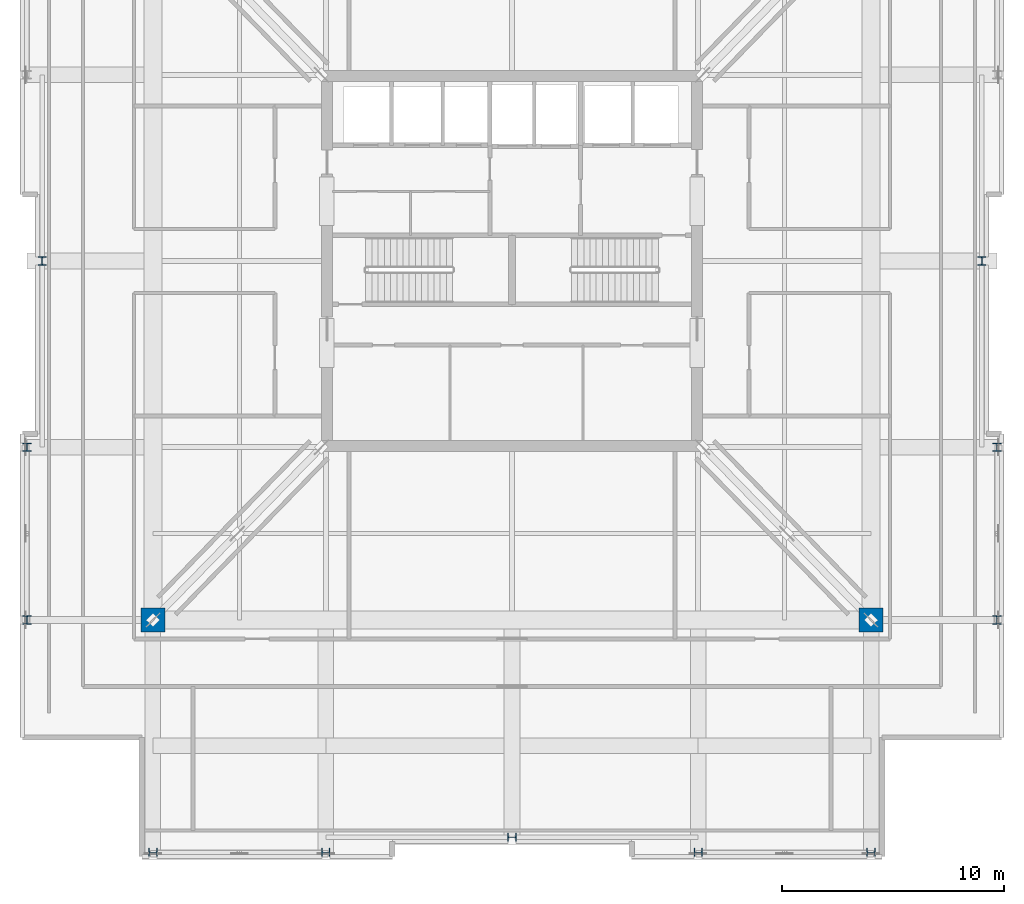
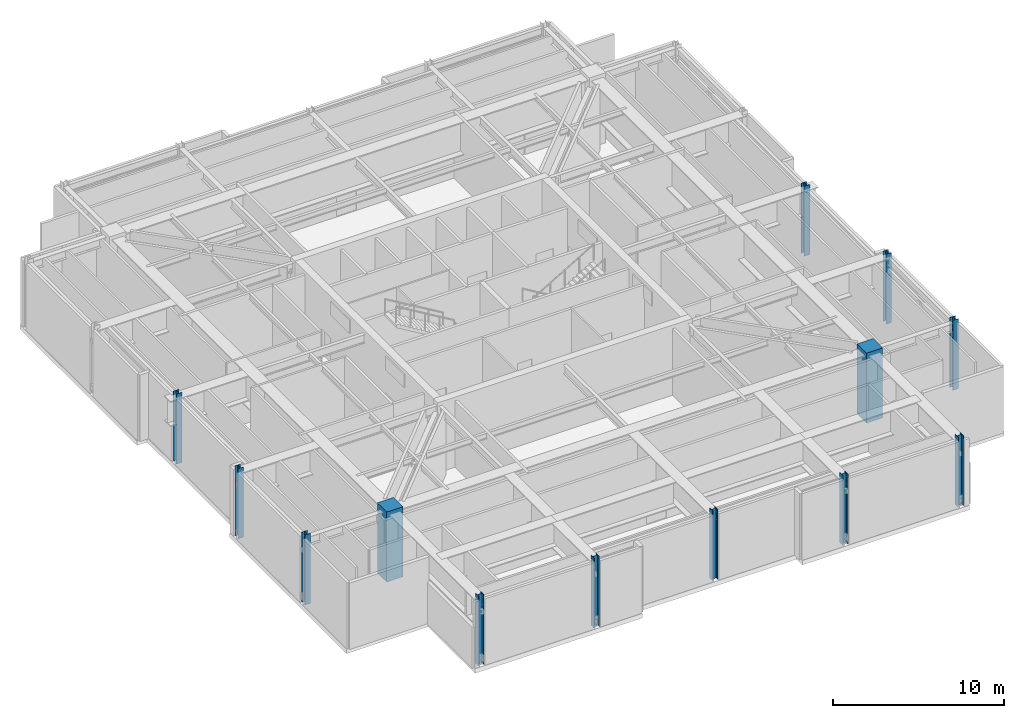
# One storey, part 1 of 10: 13 columns.
"""IFC4 building model written with IfcOpenShell, lengths in metres."""

import ifcopenshell
import ifcopenshell.guid

model = None  # the IFC model being written
_history = None  # IfcOwnerHistory: only IFC2X3 demands one
_inside = {}  # id of a spatial element -> (the spatial element, [elements in it])
_under = {}  # id of a project, library or spatial element -> (it, [spatial elements below it])
_declared = {}  # id of a project -> (the project, [libraries it declares])
_typed = {}  # id of a type object -> (the type object, [elements of that type])
_made_of = {}  # id of a material, layer set ... -> (it, [elements and type objects made of it])


def new_model(schema):
    """Start an empty IFC model of exactly this schema.

    Asked for "IFC4X3", IfcOpenShell would pick the latest addendum, in which some entities
    have other attributes; the version numbers below select the first issue.
    IFC2X3 requires an IfcOwnerHistory on every rooted entity: one is made here for all.
    """
    global model, _history
    if schema == "IFC4X3":
        model = ifcopenshell.file(schema_version=(4, 3, 0, 0))
    else:
        model = ifcopenshell.file(schema=schema)
    _inside.clear()
    _under.clear()
    _declared.clear()
    _typed.clear()
    _made_of.clear()
    _history = None
    if model.schema == "IFC2X3":
        org = make("IfcOrganization", Name="unknown")
        user = make(
            "IfcPersonAndOrganization",
            ThePerson=make("IfcPerson", FamilyName="unknown"),
            TheOrganization=org,
        )
        app = make(
            "IfcApplication",
            ApplicationDeveloper=org,
            Version="unknown",
            ApplicationFullName="unknown",
            ApplicationIdentifier="unknown",
        )
        _history = make(
            "IfcOwnerHistory",
            OwningUser=user,
            OwningApplication=app,
            ChangeAction="ADDED",
            CreationDate=0,
        )
    return model


def make(cls, **values):
    """One entity of the class cls with the attributes given. An attribute that is None is left unset."""
    return model.create_entity(
        cls, **{name: value for name, value in values.items() if value is not None}
    )


def rooted(cls, **values):
    """An entity with a GlobalId (a new one), such as an element, a storey or a relation."""
    return make(cls, GlobalId=ifcopenshell.guid.new(), OwnerHistory=_history, **values)


def si_unit(unit_type, name, prefix=None):
    """IfcSIUnit, for example si_unit("LENGTHUNIT", "METRE", prefix="MILLI")."""
    return make("IfcSIUnit", UnitType=unit_type, Prefix=prefix, Name=name)


def assignment(units):
    """IfcUnitAssignment: the units of a project."""
    return None if units is None else make("IfcUnitAssignment", Units=units)


def point(xyz):
    """IfcCartesianPoint."""
    return None if xyz is None else make("IfcCartesianPoint", Coordinates=xyz)


def direction(xyz):
    """IfcDirection."""
    return None if xyz is None else make("IfcDirection", DirectionRatios=xyz)


def frame(location, z_axis=None, x_axis=None):
    """IfcAxis2Placement3D, a coordinate frame: its origin and axes. An axis left out is left unset."""
    return make(
        "IfcAxis2Placement3D",
        Location=point(location),
        Axis=direction(z_axis),
        RefDirection=direction(x_axis),
    )


def frame_2d(location, x_axis=None):
    """IfcAxis2Placement2D, a coordinate frame in the plane: its origin and x axis."""
    return make(
        "IfcAxis2Placement2D", Location=point(location), RefDirection=direction(x_axis)
    )


def origin():
    """The frame at (0, 0, 0) with its axes left unset."""
    return frame((0.0, 0.0, 0.0))


def origin_2d():
    """The frame at (0, 0) in the plane with its x axis left unset."""
    return frame_2d((0.0, 0.0))


def place(relative_to, where):
    """IfcLocalPlacement: puts the frame where relative to a parent placement (None: the world)."""
    return make(
        "IfcLocalPlacement", PlacementRelTo=relative_to, RelativePlacement=where
    )


def context(
    kind, dimensions, precision=None, world=None, true_north=None, identifier=None
):
    """IfcGeometricRepresentationContext, for example the 3D "Model" context."""
    return make(
        "IfcGeometricRepresentationContext",
        ContextIdentifier=identifier,
        ContextType=kind,
        CoordinateSpaceDimension=dimensions,
        Precision=precision,
        WorldCoordinateSystem=world,
        TrueNorth=true_north,
    )


def subcontext(parent, identifier, kind, view, scale=None):
    """IfcGeometricRepresentationSubContext, for example "Body" below "Model"."""
    return make(
        "IfcGeometricRepresentationSubContext",
        ContextIdentifier=identifier,
        ContextType=kind,
        ParentContext=parent,
        TargetScale=scale,
        TargetView=view,
    )


def project(units=None, contexts=None):
    """IfcProject with its units and contexts."""
    return rooted(
        "IfcProject",
        Name="project",
        RepresentationContexts=contexts,
        UnitsInContext=assignment(units),
    )


def spatial(cls, under=None, at=None, **own):
    """A site, building, storey or space (cls), placed at a placement, below another one or the project."""
    s = rooted(cls, ObjectPlacement=at, **own)
    if under is not None:
        _under.setdefault(under.id(), (under, []))[1].append(s)
    return s


def profile(cls, at=None, kind="AREA", **sizes):
    """A parametric profile (cls). Its sizes go by their IFC names, for example OverallWidth=200.0."""
    return make(cls, ProfileType=kind, Position=at, **sizes)


def rectangle(**sizes):
    """IfcRectangleProfileDef."""
    return profile("IfcRectangleProfileDef", **sizes)


def i_section(**sizes):
    """IfcIShapeProfileDef."""
    return profile("IfcIShapeProfileDef", **sizes)


def extrude(swept, where, along, depth):
    """IfcExtrudedAreaSolid: the profile swept, set in the frame where, extruded along a direction by depth."""
    return make(
        "IfcExtrudedAreaSolid",
        SweptArea=swept,
        Position=where,
        ExtrudedDirection=direction(along),
        Depth=depth,
    )


def shape(context_of_items, identifier, shape_type, items):
    """IfcShapeRepresentation: the items that make up one representation, for example the "Body"."""
    return make(
        "IfcShapeRepresentation",
        ContextOfItems=context_of_items,
        RepresentationIdentifier=identifier,
        RepresentationType=shape_type,
        Items=items,
    )


def material(Name=None, Category=None):
    """IfcMaterial."""
    return make("IfcMaterial", Name=Name, Category=Category)


def material_profile(
    of_material, cross_section, Name=None, Category=None, Priority=None
):
    """IfcMaterialProfile: a cross section and its material."""
    return make(
        "IfcMaterialProfile",
        Name=Name,
        Material=of_material,
        Profile=cross_section,
        Priority=Priority,
        Category=Category,
    )


def profile_set(profiles, Name=None, composite=None):
    """IfcMaterialProfileSet."""
    return make(
        "IfcMaterialProfileSet",
        Name=Name,
        MaterialProfiles=profiles,
        CompositeProfile=composite,
    )


def made_of(thing, what):
    """Note that an element or type object is made of a material, layer set ...; save() writes the relation."""
    if what is not None:
        _made_of.setdefault(what.id(), (what, []))[1].append(thing)
    return thing


def type_object(cls, material=None, **own):
    """A type object (cls), such as IfcWallType, which elements share."""
    return made_of(rooted(cls, **own), material)


def element(
    cls,
    number,
    at=None,
    inside=None,
    cuts=None,
    type_object=None,
    material=None,
    context=None,
    identifier="Body",
    shape_type=None,
    held_by="IfcProductDefinitionShape",
    body=None,
    shapes=None,
    **own,
):
    """One element of the class cls, such as IfcWall. Its Tag is "e" and its number.

    at: its placement. inside: the storey or other place that contains it. cuts: it is an
    opening in that element (IfcRelVoidsElement). A single representation is given by context,
    identifier, shape_type and body (its items); several are given by shapes. held_by: the class
    of the entity that holds the representations. save() writes the other relations.
    """
    e = rooted(cls, Tag="e%d" % number, ObjectPlacement=at, **own)
    if body is not None:
        shapes = [shape(context, identifier, shape_type, body)]
    if shapes is not None:
        e.Representation = make(held_by, Representations=shapes)
    if inside is not None:
        _inside.setdefault(inside.id(), (inside, []))[1].append(e)
    if cuts is not None:
        rooted(
            "IfcRelVoidsElement", RelatingBuildingElement=cuts, RelatedOpeningElement=e
        )
    if type_object is not None:
        _typed.setdefault(type_object.id(), (type_object, []))[1].append(e)
    return made_of(e, material)


def aggregate(whole, parts):
    """IfcRelAggregates: a whole, such as a stair, and the parts it consists of."""
    return rooted("IfcRelAggregates", RelatingObject=whole, RelatedObjects=parts)


def save(model, path):
    """Write the relations noted so far, then the file.

    IfcRelAggregates (storeys below a building ...), IfcRelContainedInSpatialStructure (elements
    in a storey), IfcRelDefinesByType, IfcRelAssociatesMaterial and IfcRelDeclares: one each for
    every whole, place, type object, material and project.
    """
    for whole, parts in _under.values():
        aggregate(whole, parts)
    for where, things in _inside.values():
        rooted(
            "IfcRelContainedInSpatialStructure",
            RelatedElements=things,
            RelatingStructure=where,
        )
    for kind, things in _typed.values():
        rooted("IfcRelDefinesByType", RelatedObjects=things, RelatingType=kind)
    for what, things in _made_of.values():
        rooted("IfcRelAssociatesMaterial", RelatedObjects=things, RelatingMaterial=what)
    for by, libraries in _declared.values():
        rooted("IfcRelDeclares", RelatingContext=by, RelatedDefinitions=libraries)
    model.write(path)


model = new_model("IFC4")

# Units and contexts
model_context = context("Model", 3, precision=1e-05, world=origin(), true_north=direction((0.0, 1.0)))
body_context = subcontext(model_context, "Body", "Model", "MODEL_VIEW")
ifc_project = project(units=[si_unit("LENGTHUNIT", "METRE"), si_unit("AREAUNIT", "SQUARE_METRE"), si_unit("VOLUMEUNIT", "CUBIC_METRE"), si_unit("PLANEANGLEUNIT", "RADIAN"), si_unit("MASSUNIT", "GRAM", prefix="KILO")], contexts=[model_context])

# Site, building, storey
site_placement = place(None, origin())
site = spatial("IfcSite", under=ifc_project, at=site_placement, CompositionType="ELEMENT")
building_placement = place(site_placement, origin())
building = spatial("IfcBuilding", under=site, at=building_placement, Name="Drelvath Grand Hotel", CompositionType="ELEMENT")
storey_placement = place(building_placement, frame((0.0, 0.0, 260.0)))
storey = spatial("IfcBuildingStorey", under=building, at=storey_placement, Name="L68", CompositionType="ELEMENT", Elevation=260.0)

# Columns
ifc_material_1 = material(Name="Concrete f'c 55 MPa", Category="concrete")
ifc_material_profile_1 = material_profile(ifc_material_1, rectangle(XDim=1.10009765625, YDim=1.10009765625, at=origin_2d()), Name="MC1100X1100")
ifc_profile_set_1 = profile_set([ifc_material_profile_1], Name="Concrete f'c 55 MPa")
column_type_1 = type_object("IfcColumnType", Name="Composite Mega Column MC1100X1100", PredefinedType="COLUMN", material=ifc_profile_set_1)
for number, where, z_axis, x_axis, name in (
    (1, (-16.199951171875, 10.800048828125, 0.0), (0.0, 0.0, 1.0), (1.0, 0.0, 0.0), "L68 Composite Mega Column MC-SW"),
    (2, (16.199951171875, 10.800048828125, 0.0), (0.0, 0.0, 1.0), (1.0, 0.0, 0.0), "L68 Composite Mega Column MC-SE"),
):
    element("IfcColumn", number, at=place(storey_placement, frame(where, z_axis=z_axis, x_axis=x_axis)), inside=storey, type_object=column_type_1, Name=name, PredefinedType="COLUMN", context=body_context, shape_type="SweptSolid", body=[
        extrude(rectangle(XDim=1.10009765625, YDim=1.10009765625, at=origin_2d()), origin(), (0.0, 0.0, 1.0), 5.0),
    ])
ifc_material_2 = material(Name="Steel ASTM A913 Gr 65", Category="steel")
ifc_material_profile_2 = material_profile(ifc_material_2, i_section(OverallWidth=0.3740234375, OverallDepth=0.372314453125, WebThickness=0.016357421875, FlangeThickness=0.026123046875, FilletRadius=0.02490234375, at=origin_2d()), Name="W14X132")
ifc_profile_set_2 = profile_set([ifc_material_profile_2], Name="Steel ASTM A913 Gr 65")
column_type_2 = type_object("IfcColumnType", Name="Perimeter Steel Column W14X132", PredefinedType="COLUMN", material=ifc_profile_set_2)
for number, where, z_axis, x_axis, name in (
    (3, (-21.8798828125, 10.800048828125, 0.0), (0.0, 0.0, 1.0), (1.0, 0.0, 0.0), "L68 Structural Column TCW-C"),
    (4, (21.8798828125, 10.800048828125, 0.0), (0.0, 0.0, 1.0), (1.0, 0.0, 0.0), "L68 Structural Column TCE-C"),
    (5, (-21.8798828125, 18.60009765625, 0.0), (0.0, 0.0, 1.0), (1.0, 0.0, 0.0), "L68 Structural Column TCW-D"),
    (6, (21.8798828125, 18.60009765625, 0.0), (0.0, 0.0, 1.0), (1.0, 0.0, 0.0), "L68 Structural Column TCE-D"),
    (7, (-21.199951171875, 27.0, 0.0), (0.0, 0.0, 1.0), (1.0, 0.0, 0.0), "L68 Structural Column TCW-E"),
    (8, (21.199951171875, 27.0, 0.0), (0.0, 0.0, 1.0), (1.0, 0.0, 0.0), "L68 Structural Column TCE-E"),
    (9, (-16.199951171875, 0.320068359375, 0.0), (0.0, 0.0, 1.0), (0.0, 1.0, 0.0), "L68 Structural Column TCS-3"),
    (10, (-8.39990234375, 0.320068359375, 0.0), (0.0, 0.0, 1.0), (0.0, 1.0, 0.0), "L68 Structural Column TCS-4"),
    (11, (0.0, 1.0, 0.0), (0.0, 0.0, 1.0), (0.0, 1.0, 0.0), "L68 Structural Column TCS-5"),
    (12, (8.39990234375, 0.320068359375, 0.0), (0.0, 0.0, 1.0), (0.0, 1.0, 0.0), "L68 Structural Column TCS-6"),
    (13, (16.199951171875, 0.320068359375, 0.0), (0.0, 0.0, 1.0), (0.0, 1.0, 0.0), "L68 Structural Column TCS-7"),
):
    element("IfcColumn", number, at=place(storey_placement, frame(where, z_axis=z_axis, x_axis=x_axis)), inside=storey, type_object=column_type_2, Name=name, PredefinedType="COLUMN", context=body_context, shape_type="SweptSolid", body=[
        extrude(i_section(OverallWidth=0.3740234375, OverallDepth=0.372314453125, WebThickness=0.016357421875, FlangeThickness=0.026123046875, FilletRadius=0.02490234375, at=origin_2d()), origin(), (0.0, 0.0, 1.0), 4.9970703125),
    ])

save(model, "model.ifc")
